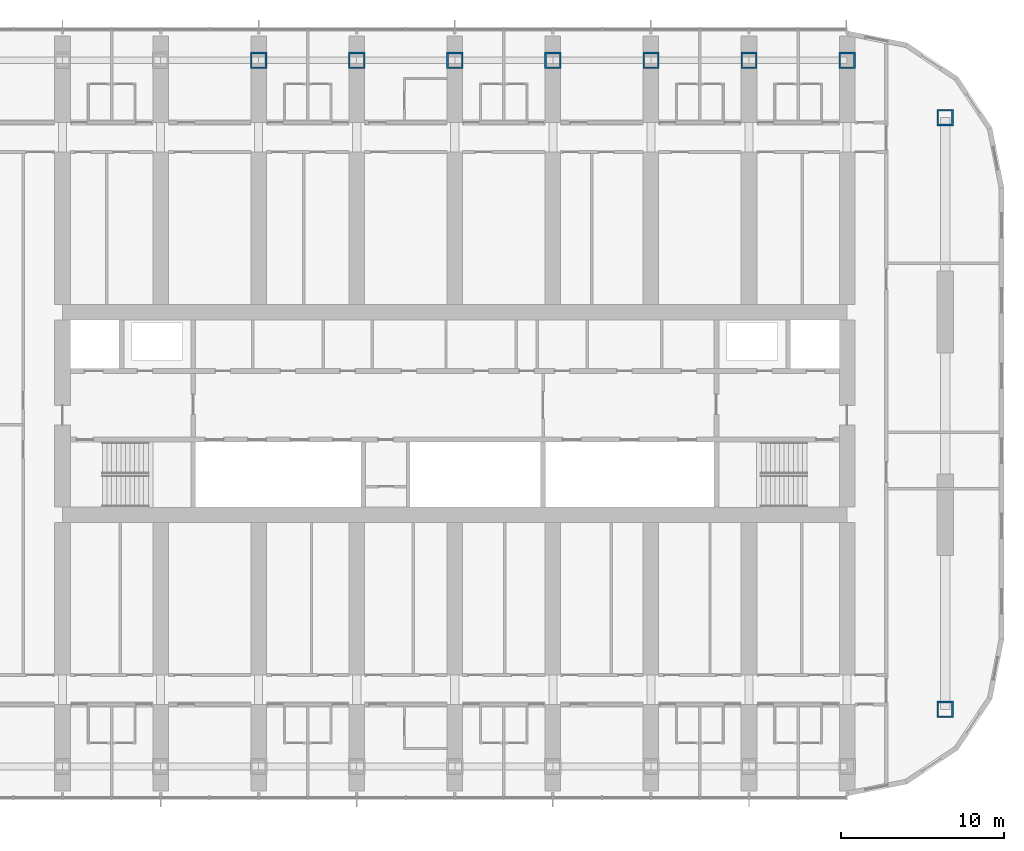
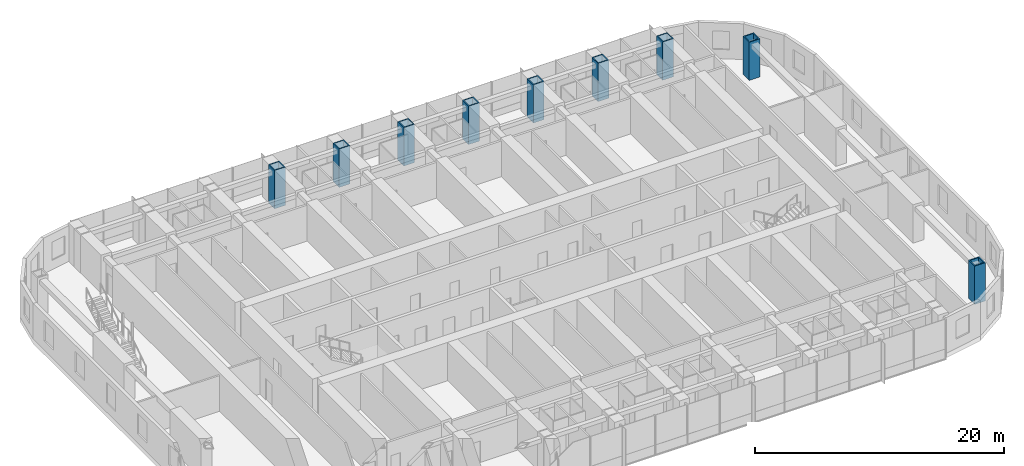
# One storey, part 3 of 25: 9 columns.
"""IFC4 building model written with IfcOpenShell, lengths in metres."""

from ifc_helpers import new_model, si_unit, direction, frame, origin, origin_2d, place, context, subcontext, project, spatial, hollow_rectangle, extrude, material, material_profile, profile_set, type_object, element, save


model = new_model("IFC4")

# Units and contexts
model_context = context("Model", 3, precision=1e-05, world=origin(), true_north=direction((0.0, 1.0)))
body_context = subcontext(model_context, "Body", "Model", "MODEL_VIEW")
ifc_project = project(units=[si_unit("LENGTHUNIT", "METRE"), si_unit("AREAUNIT", "SQUARE_METRE"), si_unit("VOLUMEUNIT", "CUBIC_METRE"), si_unit("PLANEANGLEUNIT", "RADIAN"), si_unit("MASSUNIT", "GRAM", prefix="KILO")], contexts=[model_context])

# Site, building, storey
site_placement = place(None, origin())
site = spatial("IfcSite", under=ifc_project, at=site_placement, CompositionType="ELEMENT")
building_placement = place(site_placement, origin())
building = spatial("IfcBuilding", under=site, at=building_placement, Name="Orbita Commons", CompositionType="ELEMENT")
storey_placement = place(building_placement, frame((0.0, 0.0, 99.39990234375)))
storey = spatial("IfcBuildingStorey", under=building, at=storey_placement, Name="L24", CompositionType="ELEMENT", Elevation=99.39990234375)

# Columns
ifc_material = material(Name="Steel ASTM A572 Gr 50 welded plate", Category="steel")
ifc_material_profile = material_profile(ifc_material, hollow_rectangle(XDim=1.0, YDim=1.0, WallThickness=0.10009765625, at=origin_2d()), Name="BOX 1000x1000x100")
ifc_profile_set = profile_set([ifc_material_profile], Name="Steel ASTM A572 Gr 50 welded plate")
column_type = type_object("IfcColumnType", Name="Steel column BOX 1000x1000x100", PredefinedType="COLUMN", material=ifc_profile_set)
for number, where, z_axis, x_axis, name in (
    (1, (30.0, 53.60009765625, 0.0), (0.0, 0.0, 1.0), (1.0, 0.0, 0.0), "Column 6/E L24"),
    (2, (36.0, 53.60009765625, 0.0), (0.0, 0.0, 1.0), (1.0, 0.0, 0.0), "Column 7/E L24"),
    (3, (42.0, 53.60009765625, 0.0), (0.0, 0.0, 1.0), (1.0, 0.0, 0.0), "Column 8/E L24"),
    (4, (48.0, 53.60009765625, 0.0), (0.0, 0.0, 1.0), (1.0, 0.0, 0.0), "Column 9/E L24"),
    (5, (54.0, 53.60009765625, 0.0), (0.0, 0.0, 1.0), (1.0, 0.0, 0.0), "Column 10/E L24"),
    (6, (60.0, 53.60009765625, 0.0), (0.0, 0.0, 1.0), (1.0, 0.0, 0.0), "Column 11/E L24"),
    (7, (66.0, 53.60009765625, 0.0), (0.0, 0.0, 1.0), (1.0, 0.0, 0.0), "Column 12/E L24"),
    (8, (72.0, 13.89990234375, 0.0), (0.0, 0.0, 1.0), (1.0, 0.0, 0.0), "Column 13/13.9 L24"),
    (9, (72.0, 50.10009765625, 0.0), (0.0, 0.0, 1.0), (1.0, 0.0, 0.0), "Column 13/50.1 L24"),
):
    element("IfcColumn", number, at=place(storey_placement, frame(where, z_axis=z_axis, x_axis=x_axis)), inside=storey, type_object=column_type, Name=name, PredefinedType="COLUMN", context=body_context, shape_type="SweptSolid", body=[
        extrude(hollow_rectangle(XDim=1.0, YDim=1.0, WallThickness=0.10009765625, at=origin_2d()), origin(), (0.0, 0.0, 1.0), 3.75),
    ])

save(model, "model.ifc")
